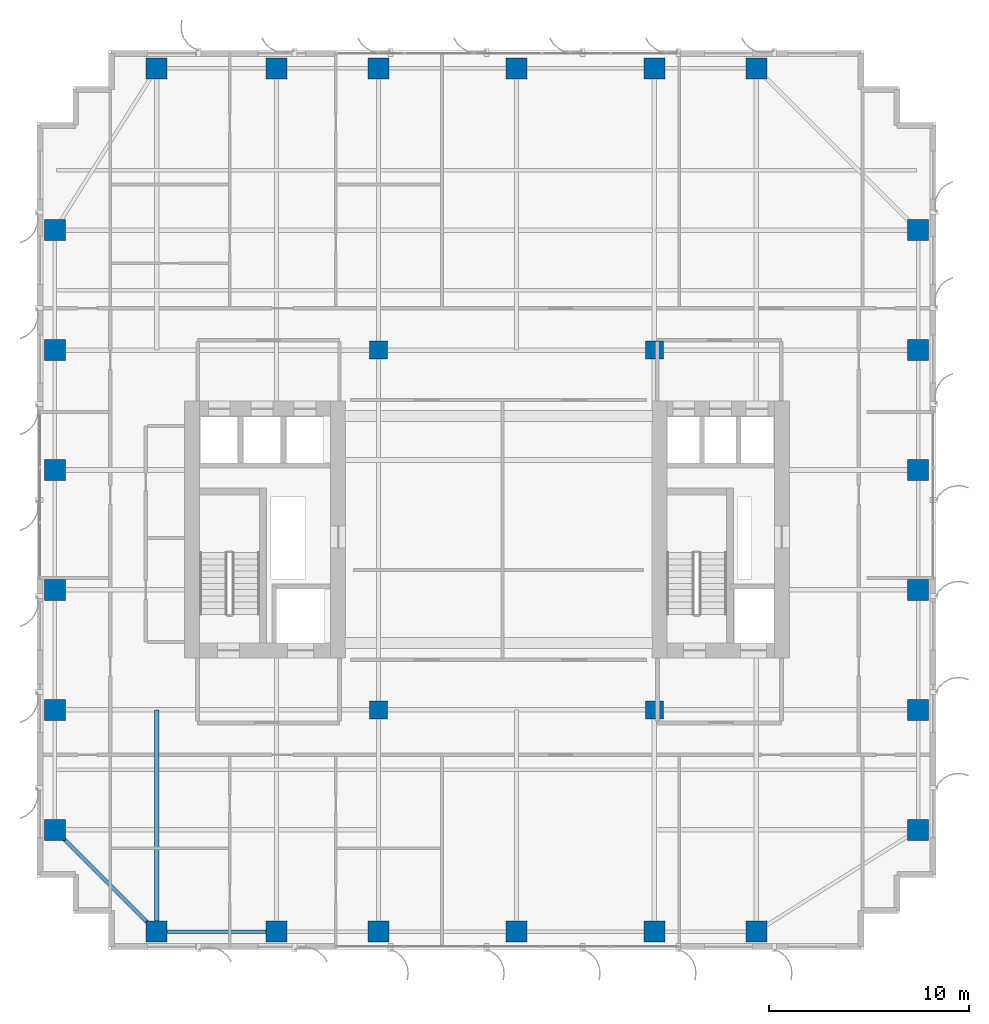
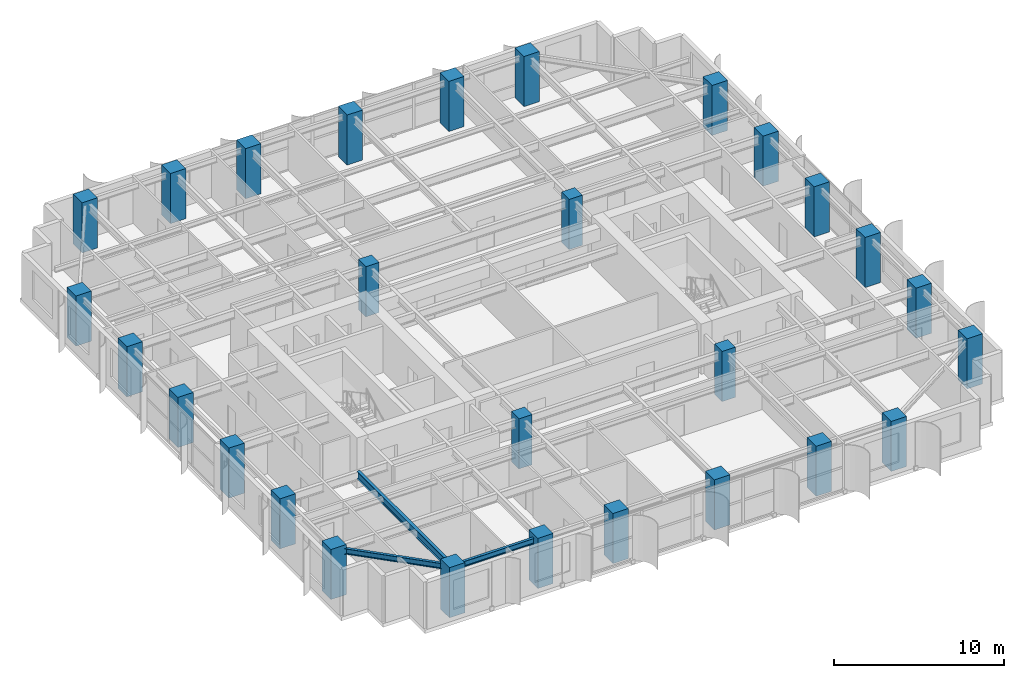
# One storey, part 1 of 26: 28 columns, 3 beams.
"""IFC4 building model written with IfcOpenShell, lengths in metres."""

import ifcopenshell
import ifcopenshell.guid

model = None  # the IFC model being written
_history = None  # IfcOwnerHistory: only IFC2X3 demands one
_inside = {}  # id of a spatial element -> (the spatial element, [elements in it])
_under = {}  # id of a project, library or spatial element -> (it, [spatial elements below it])
_declared = {}  # id of a project -> (the project, [libraries it declares])
_typed = {}  # id of a type object -> (the type object, [elements of that type])
_made_of = {}  # id of a material, layer set ... -> (it, [elements and type objects made of it])


def new_model(schema):
    """Start an empty IFC model of exactly this schema.

    Asked for "IFC4X3", IfcOpenShell would pick the latest addendum, in which some entities
    have other attributes; the version numbers below select the first issue.
    IFC2X3 requires an IfcOwnerHistory on every rooted entity: one is made here for all.
    """
    global model, _history
    if schema == "IFC4X3":
        model = ifcopenshell.file(schema_version=(4, 3, 0, 0))
    else:
        model = ifcopenshell.file(schema=schema)
    _inside.clear()
    _under.clear()
    _declared.clear()
    _typed.clear()
    _made_of.clear()
    _history = None
    if model.schema == "IFC2X3":
        org = make("IfcOrganization", Name="unknown")
        user = make(
            "IfcPersonAndOrganization",
            ThePerson=make("IfcPerson", FamilyName="unknown"),
            TheOrganization=org,
        )
        app = make(
            "IfcApplication",
            ApplicationDeveloper=org,
            Version="unknown",
            ApplicationFullName="unknown",
            ApplicationIdentifier="unknown",
        )
        _history = make(
            "IfcOwnerHistory",
            OwningUser=user,
            OwningApplication=app,
            ChangeAction="ADDED",
            CreationDate=0,
        )
    return model


def make(cls, **values):
    """One entity of the class cls with the attributes given. An attribute that is None is left unset."""
    return model.create_entity(
        cls, **{name: value for name, value in values.items() if value is not None}
    )


def rooted(cls, **values):
    """An entity with a GlobalId (a new one), such as an element, a storey or a relation."""
    return make(cls, GlobalId=ifcopenshell.guid.new(), OwnerHistory=_history, **values)


def si_unit(unit_type, name, prefix=None):
    """IfcSIUnit, for example si_unit("LENGTHUNIT", "METRE", prefix="MILLI")."""
    return make("IfcSIUnit", UnitType=unit_type, Prefix=prefix, Name=name)


def assignment(units):
    """IfcUnitAssignment: the units of a project."""
    return None if units is None else make("IfcUnitAssignment", Units=units)


def point(xyz):
    """IfcCartesianPoint."""
    return None if xyz is None else make("IfcCartesianPoint", Coordinates=xyz)


def direction(xyz):
    """IfcDirection."""
    return None if xyz is None else make("IfcDirection", DirectionRatios=xyz)


def frame(location, z_axis=None, x_axis=None):
    """IfcAxis2Placement3D, a coordinate frame: its origin and axes. An axis left out is left unset."""
    return make(
        "IfcAxis2Placement3D",
        Location=point(location),
        Axis=direction(z_axis),
        RefDirection=direction(x_axis),
    )


def frame_2d(location, x_axis=None):
    """IfcAxis2Placement2D, a coordinate frame in the plane: its origin and x axis."""
    return make(
        "IfcAxis2Placement2D", Location=point(location), RefDirection=direction(x_axis)
    )


def origin():
    """The frame at (0, 0, 0) with its axes left unset."""
    return frame((0.0, 0.0, 0.0))


def origin_2d():
    """The frame at (0, 0) in the plane with its x axis left unset."""
    return frame_2d((0.0, 0.0))


def place(relative_to, where):
    """IfcLocalPlacement: puts the frame where relative to a parent placement (None: the world)."""
    return make(
        "IfcLocalPlacement", PlacementRelTo=relative_to, RelativePlacement=where
    )


def context(
    kind, dimensions, precision=None, world=None, true_north=None, identifier=None
):
    """IfcGeometricRepresentationContext, for example the 3D "Model" context."""
    return make(
        "IfcGeometricRepresentationContext",
        ContextIdentifier=identifier,
        ContextType=kind,
        CoordinateSpaceDimension=dimensions,
        Precision=precision,
        WorldCoordinateSystem=world,
        TrueNorth=true_north,
    )


def subcontext(parent, identifier, kind, view, scale=None):
    """IfcGeometricRepresentationSubContext, for example "Body" below "Model"."""
    return make(
        "IfcGeometricRepresentationSubContext",
        ContextIdentifier=identifier,
        ContextType=kind,
        ParentContext=parent,
        TargetScale=scale,
        TargetView=view,
    )


def project(units=None, contexts=None):
    """IfcProject with its units and contexts."""
    return rooted(
        "IfcProject",
        Name="project",
        RepresentationContexts=contexts,
        UnitsInContext=assignment(units),
    )


def spatial(cls, under=None, at=None, **own):
    """A site, building, storey or space (cls), placed at a placement, below another one or the project."""
    s = rooted(cls, ObjectPlacement=at, **own)
    if under is not None:
        _under.setdefault(under.id(), (under, []))[1].append(s)
    return s


def profile(cls, at=None, kind="AREA", **sizes):
    """A parametric profile (cls). Its sizes go by their IFC names, for example OverallWidth=200.0."""
    return make(cls, ProfileType=kind, Position=at, **sizes)


def rectangle(**sizes):
    """IfcRectangleProfileDef."""
    return profile("IfcRectangleProfileDef", **sizes)


def i_section(**sizes):
    """IfcIShapeProfileDef."""
    return profile("IfcIShapeProfileDef", **sizes)


def extrude(swept, where, along, depth):
    """IfcExtrudedAreaSolid: the profile swept, set in the frame where, extruded along a direction by depth."""
    return make(
        "IfcExtrudedAreaSolid",
        SweptArea=swept,
        Position=where,
        ExtrudedDirection=direction(along),
        Depth=depth,
    )


def shape(context_of_items, identifier, shape_type, items):
    """IfcShapeRepresentation: the items that make up one representation, for example the "Body"."""
    return make(
        "IfcShapeRepresentation",
        ContextOfItems=context_of_items,
        RepresentationIdentifier=identifier,
        RepresentationType=shape_type,
        Items=items,
    )


def source(mapping_origin, context_of_items, identifier, shape_type, items):
    """IfcRepresentationMap: a shape defined once, which mapped items show again and again."""
    return make(
        "IfcRepresentationMap",
        MappingOrigin=mapping_origin,
        MappedRepresentation=shape(context_of_items, identifier, shape_type, items),
    )


def transform(
    local_origin,
    x_axis=None,
    y_axis=None,
    z_axis=None,
    scale=None,
    scale2=None,
    scale3=None,
    uniform=True,
):
    """IfcCartesianTransformationOperator3D, or its non-uniform kind. x_axis, y_axis, z_axis: its Axis1, 2, 3."""
    if uniform:
        return make(
            "IfcCartesianTransformationOperator3D",
            Axis1=direction(x_axis),
            Axis2=direction(y_axis),
            LocalOrigin=point(local_origin),
            Scale=scale,
            Axis3=direction(z_axis),
        )
    return make(
        "IfcCartesianTransformationOperator3DnonUniform",
        Axis1=direction(x_axis),
        Axis2=direction(y_axis),
        LocalOrigin=point(local_origin),
        Scale=scale,
        Axis3=direction(z_axis),
        Scale2=scale2,
        Scale3=scale3,
    )


def mapped(mapping_source, mapping_target):
    """IfcMappedItem: shows the shape of a source again, moved by a transform."""
    return make(
        "IfcMappedItem", MappingSource=mapping_source, MappingTarget=mapping_target
    )


def material(Name=None, Category=None):
    """IfcMaterial."""
    return make("IfcMaterial", Name=Name, Category=Category)


def material_profile(
    of_material, cross_section, Name=None, Category=None, Priority=None
):
    """IfcMaterialProfile: a cross section and its material."""
    return make(
        "IfcMaterialProfile",
        Name=Name,
        Material=of_material,
        Profile=cross_section,
        Priority=Priority,
        Category=Category,
    )


def profile_set(profiles, Name=None, composite=None):
    """IfcMaterialProfileSet."""
    return make(
        "IfcMaterialProfileSet",
        Name=Name,
        MaterialProfiles=profiles,
        CompositeProfile=composite,
    )


def made_of(thing, what):
    """Note that an element or type object is made of a material, layer set ...; save() writes the relation."""
    if what is not None:
        _made_of.setdefault(what.id(), (what, []))[1].append(thing)
    return thing


def type_object(cls, material=None, **own):
    """A type object (cls), such as IfcWallType, which elements share."""
    return made_of(rooted(cls, **own), material)


def element(
    cls,
    number,
    at=None,
    inside=None,
    cuts=None,
    type_object=None,
    material=None,
    context=None,
    identifier="Body",
    shape_type=None,
    held_by="IfcProductDefinitionShape",
    body=None,
    shapes=None,
    **own,
):
    """One element of the class cls, such as IfcWall. Its Tag is "e" and its number.

    at: its placement. inside: the storey or other place that contains it. cuts: it is an
    opening in that element (IfcRelVoidsElement). A single representation is given by context,
    identifier, shape_type and body (its items); several are given by shapes. held_by: the class
    of the entity that holds the representations. save() writes the other relations.
    """
    e = rooted(cls, Tag="e%d" % number, ObjectPlacement=at, **own)
    if body is not None:
        shapes = [shape(context, identifier, shape_type, body)]
    if shapes is not None:
        e.Representation = make(held_by, Representations=shapes)
    if inside is not None:
        _inside.setdefault(inside.id(), (inside, []))[1].append(e)
    if cuts is not None:
        rooted(
            "IfcRelVoidsElement", RelatingBuildingElement=cuts, RelatedOpeningElement=e
        )
    if type_object is not None:
        _typed.setdefault(type_object.id(), (type_object, []))[1].append(e)
    return made_of(e, material)


def aggregate(whole, parts):
    """IfcRelAggregates: a whole, such as a stair, and the parts it consists of."""
    return rooted("IfcRelAggregates", RelatingObject=whole, RelatedObjects=parts)


def save(model, path):
    """Write the relations noted so far, then the file.

    IfcRelAggregates (storeys below a building ...), IfcRelContainedInSpatialStructure (elements
    in a storey), IfcRelDefinesByType, IfcRelAssociatesMaterial and IfcRelDeclares: one each for
    every whole, place, type object, material and project.
    """
    for whole, parts in _under.values():
        aggregate(whole, parts)
    for where, things in _inside.values():
        rooted(
            "IfcRelContainedInSpatialStructure",
            RelatedElements=things,
            RelatingStructure=where,
        )
    for kind, things in _typed.values():
        rooted("IfcRelDefinesByType", RelatedObjects=things, RelatingType=kind)
    for what, things in _made_of.values():
        rooted("IfcRelAssociatesMaterial", RelatedObjects=things, RelatingMaterial=what)
    for by, libraries in _declared.values():
        rooted("IfcRelDeclares", RelatingContext=by, RelatedDefinitions=libraries)
    model.write(path)


model = new_model("IFC4")

# Units and contexts
model_context = context("Model", 3, precision=1e-05, world=origin(), true_north=direction((0.0, 1.0)))
body_context = subcontext(model_context, "Body", "Model", "MODEL_VIEW")
ifc_project = project(units=[si_unit("LENGTHUNIT", "METRE"), si_unit("AREAUNIT", "SQUARE_METRE"), si_unit("VOLUMEUNIT", "CUBIC_METRE"), si_unit("PLANEANGLEUNIT", "RADIAN"), si_unit("MASSUNIT", "GRAM", prefix="KILO")], contexts=[model_context])

# Site, building, storey
site_placement = place(None, origin())
site = spatial("IfcSite", under=ifc_project, at=site_placement, CompositionType="ELEMENT")
building_placement = place(site_placement, origin())
building = spatial("IfcBuilding", under=site, at=building_placement, Name="Khoralis Quay Care Tower", CompositionType="ELEMENT")
storey_placement = place(building_placement, frame((0.0, 0.0, 126.89990234375)))
storey = spatial("IfcBuildingStorey", under=building, at=storey_placement, Name="L33", CompositionType="ELEMENT", Elevation=126.89990234375)

# Columns
ifc_material_1 = material(Name="Concrete C65/80", Category="concrete")
ifc_material_profile_1 = material_profile(ifc_material_1, rectangle(XDim=1.050048828125, YDim=1.050048828125, at=origin_2d()), Name="Concrete C65/80")
ifc_profile_set_1 = profile_set([ifc_material_profile_1], Name="Concrete C65/80")
column_type_1 = type_object("IfcColumnType", Name="COL-C1050", PredefinedType="COLUMN", material=ifc_profile_set_1)
shared_shape_1 = source(origin(), body_context, "Body", "SweptSolid", [
    extrude(rectangle(XDim=1.050048828125, YDim=1.050048828125, at=origin_2d()), origin(), (0.0, 0.0, 1.0), 3.60009765625),
])
for number, where, z_axis, x_axis, name in (
    (1, (6.0, 0.89990234375, 0.0), (0.0, 0.0, 1.0), (1.0, 0.0, 0.0), "COL-TWR-L33-01"),
    (2, (6.0, 44.10009765625, 0.0), (0.0, 0.0, 1.0), (1.0, 0.0, 0.0), "COL-TWR-L33-02"),
    (3, (12.0, 0.89990234375, 0.0), (0.0, 0.0, 1.0), (1.0, 0.0, 0.0), "COL-TWR-L33-03"),
    (4, (12.0, 44.10009765625, 0.0), (0.0, 0.0, 1.0), (1.0, 0.0, 0.0), "COL-TWR-L33-04"),
    (5, (17.10009765625, 0.89990234375, 0.0), (0.0, 0.0, 1.0), (1.0, 0.0, 0.0), "COL-TWR-L33-05"),
    (6, (17.10009765625, 44.10009765625, 0.0), (0.0, 0.0, 1.0), (1.0, 0.0, 0.0), "COL-TWR-L33-06"),
    (7, (24.0, 0.89990234375, 0.0), (0.0, 0.0, 1.0), (1.0, 0.0, 0.0), "COL-TWR-L33-07"),
    (8, (24.0, 44.10009765625, 0.0), (0.0, 0.0, 1.0), (1.0, 0.0, 0.0), "COL-TWR-L33-08"),
    (9, (30.89990234375, 0.89990234375, 0.0), (0.0, 0.0, 1.0), (1.0, 0.0, 0.0), "COL-TWR-L33-09"),
    (10, (30.89990234375, 44.10009765625, 0.0), (0.0, 0.0, 1.0), (1.0, 0.0, 0.0), "COL-TWR-L33-10"),
    (11, (36.0, 0.89990234375, 0.0), (0.0, 0.0, 1.0), (1.0, 0.0, 0.0), "COL-TWR-L33-11"),
    (12, (36.0, 44.10009765625, 0.0), (0.0, 0.0, 1.0), (1.0, 0.0, 0.0), "COL-TWR-L33-12"),
    (13, (0.89990234375, 6.0, 0.0), (0.0, 0.0, 1.0), (1.0, 0.0, 0.0), "COL-TWR-L33-13"),
    (14, (44.10009765625, 6.0, 0.0), (0.0, 0.0, 1.0), (1.0, 0.0, 0.0), "COL-TWR-L33-14"),
    (15, (0.89990234375, 12.0, 0.0), (0.0, 0.0, 1.0), (1.0, 0.0, 0.0), "COL-TWR-L33-15"),
    (16, (44.10009765625, 12.0, 0.0), (0.0, 0.0, 1.0), (1.0, 0.0, 0.0), "COL-TWR-L33-16"),
    (17, (0.89990234375, 18.0, 0.0), (0.0, 0.0, 1.0), (1.0, 0.0, 0.0), "COL-TWR-L33-17"),
    (18, (44.10009765625, 18.0, 0.0), (0.0, 0.0, 1.0), (1.0, 0.0, 0.0), "COL-TWR-L33-18"),
    (19, (0.89990234375, 24.0, 0.0), (0.0, 0.0, 1.0), (1.0, 0.0, 0.0), "COL-TWR-L33-19"),
    (20, (44.10009765625, 24.0, 0.0), (0.0, 0.0, 1.0), (1.0, 0.0, 0.0), "COL-TWR-L33-20"),
    (21, (0.89990234375, 30.0, 0.0), (0.0, 0.0, 1.0), (1.0, 0.0, 0.0), "COL-TWR-L33-21"),
    (22, (44.10009765625, 30.0, 0.0), (0.0, 0.0, 1.0), (1.0, 0.0, 0.0), "COL-TWR-L33-22"),
    (23, (0.89990234375, 36.0, 0.0), (0.0, 0.0, 1.0), (1.0, 0.0, 0.0), "COL-TWR-L33-23"),
    (24, (44.10009765625, 36.0, 0.0), (0.0, 0.0, 1.0), (1.0, 0.0, 0.0), "COL-TWR-L33-24"),
):
    element("IfcColumn", number, at=place(storey_placement, frame(where, z_axis=z_axis, x_axis=x_axis)), inside=storey, type_object=column_type_1, Name=name, PredefinedType="COLUMN", context=body_context, shape_type="MappedRepresentation", body=[
        mapped(shared_shape_1, transform((0.0, 0.0, 0.0), scale=1.0)),
    ])
ifc_material_profile_2 = material_profile(ifc_material_1, rectangle(XDim=0.89990234375, YDim=0.89990234375, at=origin_2d()), Name="Concrete C65/80")
ifc_profile_set_2 = profile_set([ifc_material_profile_2], Name="Concrete C65/80")
column_type_2 = type_object("IfcColumnType", Name="COL-C900", PredefinedType="COLUMN", material=ifc_profile_set_2)
shared_shape_2 = source(origin(), body_context, "Body", "SweptSolid", [
    extrude(rectangle(XDim=0.89990234375, YDim=0.89990234375, at=origin_2d()), origin(), (0.0, 0.0, 1.0), 3.60009765625),
])
for number, where, z_axis, x_axis, name in (
    (25, (17.10009765625, 12.0, 0.0), (0.0, 0.0, 1.0), (1.0, 0.0, 0.0), "COL-TWR-L33-25"),
    (26, (17.10009765625, 30.0, 0.0), (0.0, 0.0, 1.0), (1.0, 0.0, 0.0), "COL-TWR-L33-26"),
    (27, (30.89990234375, 12.0, 0.0), (0.0, 0.0, 1.0), (1.0, 0.0, 0.0), "COL-TWR-L33-27"),
    (28, (30.89990234375, 30.0, 0.0), (0.0, 0.0, 1.0), (1.0, 0.0, 0.0), "COL-TWR-L33-28"),
):
    element("IfcColumn", number, at=place(storey_placement, frame(where, z_axis=z_axis, x_axis=x_axis)), inside=storey, type_object=column_type_2, Name=name, PredefinedType="COLUMN", context=body_context, shape_type="MappedRepresentation", body=[
        mapped(shared_shape_2, transform((0.0, 0.0, 0.0), scale=1.0)),
    ])

# Beams
ifc_material_2 = material(Name="Steel S355", Category="steel")
ifc_material_profile_3 = material_profile(ifc_material_2, i_section(OverallWidth=0.179931640625, OverallDepth=0.39990234375, WebThickness=0.008544921875, FlangeThickness=0.013427734375, FilletRadius=0.02099609375, at=origin_2d()), Name="Steel S355")
ifc_profile_set_3 = profile_set([ifc_material_profile_3], Name="Steel S355")
beam_type_1 = type_object("IfcBeamType", Name="BM-IPE400", PredefinedType="SPANDREL", material=ifc_profile_set_3)
shared_shape_3 = source(origin(), body_context, "Body", "SweptSolid", [
    extrude(i_section(OverallWidth=0.179931640625, OverallDepth=0.39990234375, WebThickness=0.008544921875, FlangeThickness=0.013427734375, FilletRadius=0.02099609375, at=origin_2d()), origin(), (0.0, 0.0, 1.0), 6.0),
])
beam_1_placement = place(storey_placement, frame((6.0, 0.89990234375, 3.14013671875), z_axis=(1.0, 0.0, 0.0), x_axis=(0.0, 1.0, 0.0)))
element("IfcBeam", 29, at=beam_1_placement, inside=storey, type_object=beam_type_1, Name="BM-TSP-L33-01", PredefinedType="SPANDREL", context=body_context, shape_type="MappedRepresentation", body=[
    mapped(shared_shape_3, transform((0.0, 0.0, 0.0), scale=1.0)),
])
shared_shape_4 = source(origin(), body_context, "Body", "SweptSolid", [
    extrude(i_section(OverallWidth=0.179931640625, OverallDepth=0.39990234375, WebThickness=0.008544921875, FlangeThickness=0.013427734375, FilletRadius=0.02099609375, at=origin_2d()), origin(), (0.0, 0.0, 1.0), 7.212646484375),
])
beam_2_placement = place(storey_placement, frame((6.0, 0.89990234375, 3.14013671875), z_axis=(-0.707106781187, 0.707106781187, 0.0), x_axis=(-0.707106781187, -0.707106781187, 0.0)))
element("IfcBeam", 30, at=beam_2_placement, inside=storey, type_object=beam_type_1, Name="BM-TCR-L33-21", PredefinedType="SPANDREL", context=body_context, shape_type="MappedRepresentation", body=[
    mapped(shared_shape_4, transform((0.0, 0.0, 0.0), scale=1.0)),
])
ifc_material_profile_4 = material_profile(ifc_material_2, i_section(OverallWidth=0.2119140625, OverallDepth=0.5439453125, WebThickness=0.01318359375, FlangeThickness=0.021240234375, FilletRadius=0.01611328125, at=origin_2d()), Name="Steel S355")
ifc_profile_set_4 = profile_set([ifc_material_profile_4], Name="Steel S355")
beam_type_2 = type_object("IfcBeamType", Name="BM-W530X123", PredefinedType="BEAM", material=ifc_profile_set_4)
shared_shape_5 = source(origin(), body_context, "Body", "SweptSolid", [
    extrude(i_section(OverallWidth=0.2119140625, OverallDepth=0.5439453125, WebThickness=0.01318359375, FlangeThickness=0.021240234375, FilletRadius=0.01611328125, at=origin_2d()), origin(), (0.0, 0.0, 1.0), 11.10009765625),
])
beam_3_placement = place(storey_placement, frame((6.0, 0.89990234375, 3.068115234375), z_axis=(0.0, 1.0, 0.0), x_axis=(-1.0, 0.0, 0.0)))
element("IfcBeam", 31, at=beam_3_placement, inside=storey, type_object=beam_type_2, Name="BM-TGYS-L33-60", PredefinedType="BEAM", context=body_context, shape_type="MappedRepresentation", body=[
    mapped(shared_shape_5, transform((0.0, 0.0, 0.0), scale=1.0)),
])

save(model, "model.ifc")
